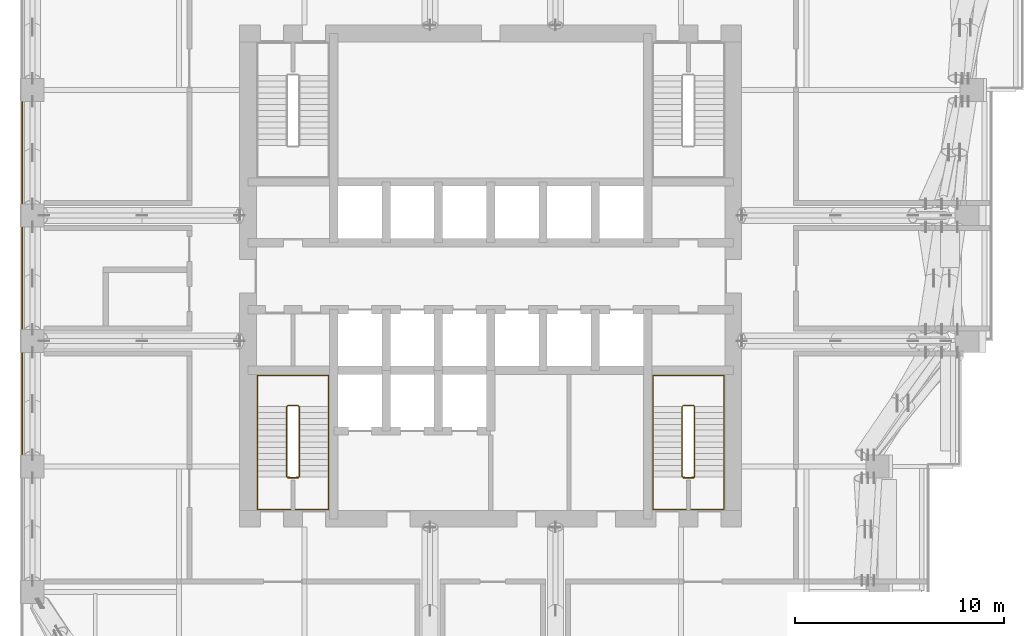
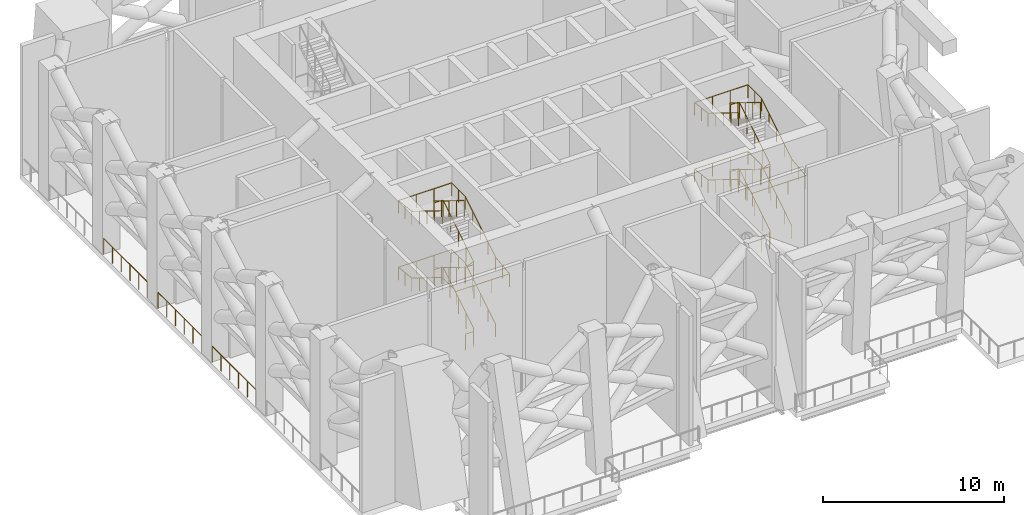
# One storey, part 16 of 19: 7 railings.
"""IFC4 building model written with IfcOpenShell, lengths in metres."""

import ifcopenshell
import ifcopenshell.guid

model = None  # the IFC model being written
_history = None  # IfcOwnerHistory: only IFC2X3 demands one
_inside = {}  # id of a spatial element -> (the spatial element, [elements in it])
_under = {}  # id of a project, library or spatial element -> (it, [spatial elements below it])
_declared = {}  # id of a project -> (the project, [libraries it declares])
_typed = {}  # id of a type object -> (the type object, [elements of that type])
_made_of = {}  # id of a material, layer set ... -> (it, [elements and type objects made of it])


def new_model(schema):
    """Start an empty IFC model of exactly this schema.

    Asked for "IFC4X3", IfcOpenShell would pick the latest addendum, in which some entities
    have other attributes; the version numbers below select the first issue.
    IFC2X3 requires an IfcOwnerHistory on every rooted entity: one is made here for all.
    """
    global model, _history
    if schema == "IFC4X3":
        model = ifcopenshell.file(schema_version=(4, 3, 0, 0))
    else:
        model = ifcopenshell.file(schema=schema)
    _inside.clear()
    _under.clear()
    _declared.clear()
    _typed.clear()
    _made_of.clear()
    _history = None
    if model.schema == "IFC2X3":
        org = make("IfcOrganization", Name="unknown")
        user = make(
            "IfcPersonAndOrganization",
            ThePerson=make("IfcPerson", FamilyName="unknown"),
            TheOrganization=org,
        )
        app = make(
            "IfcApplication",
            ApplicationDeveloper=org,
            Version="unknown",
            ApplicationFullName="unknown",
            ApplicationIdentifier="unknown",
        )
        _history = make(
            "IfcOwnerHistory",
            OwningUser=user,
            OwningApplication=app,
            ChangeAction="ADDED",
            CreationDate=0,
        )
    return model


def make(cls, **values):
    """One entity of the class cls with the attributes given. An attribute that is None is left unset."""
    return model.create_entity(
        cls, **{name: value for name, value in values.items() if value is not None}
    )


def rooted(cls, **values):
    """An entity with a GlobalId (a new one), such as an element, a storey or a relation."""
    return make(cls, GlobalId=ifcopenshell.guid.new(), OwnerHistory=_history, **values)


def si_unit(unit_type, name, prefix=None):
    """IfcSIUnit, for example si_unit("LENGTHUNIT", "METRE", prefix="MILLI")."""
    return make("IfcSIUnit", UnitType=unit_type, Prefix=prefix, Name=name)


def assignment(units):
    """IfcUnitAssignment: the units of a project."""
    return None if units is None else make("IfcUnitAssignment", Units=units)


def point(xyz):
    """IfcCartesianPoint."""
    return None if xyz is None else make("IfcCartesianPoint", Coordinates=xyz)


def direction(xyz):
    """IfcDirection."""
    return None if xyz is None else make("IfcDirection", DirectionRatios=xyz)


def frame(location, z_axis=None, x_axis=None):
    """IfcAxis2Placement3D, a coordinate frame: its origin and axes. An axis left out is left unset."""
    return make(
        "IfcAxis2Placement3D",
        Location=point(location),
        Axis=direction(z_axis),
        RefDirection=direction(x_axis),
    )


def frame_2d(location, x_axis=None):
    """IfcAxis2Placement2D, a coordinate frame in the plane: its origin and x axis."""
    return make(
        "IfcAxis2Placement2D", Location=point(location), RefDirection=direction(x_axis)
    )


def origin():
    """The frame at (0, 0, 0) with its axes left unset."""
    return frame((0.0, 0.0, 0.0))


def origin_2d():
    """The frame at (0, 0) in the plane with its x axis left unset."""
    return frame_2d((0.0, 0.0))


def place(relative_to, where):
    """IfcLocalPlacement: puts the frame where relative to a parent placement (None: the world)."""
    return make(
        "IfcLocalPlacement", PlacementRelTo=relative_to, RelativePlacement=where
    )


def context(
    kind, dimensions, precision=None, world=None, true_north=None, identifier=None
):
    """IfcGeometricRepresentationContext, for example the 3D "Model" context."""
    return make(
        "IfcGeometricRepresentationContext",
        ContextIdentifier=identifier,
        ContextType=kind,
        CoordinateSpaceDimension=dimensions,
        Precision=precision,
        WorldCoordinateSystem=world,
        TrueNorth=true_north,
    )


def subcontext(parent, identifier, kind, view, scale=None):
    """IfcGeometricRepresentationSubContext, for example "Body" below "Model"."""
    return make(
        "IfcGeometricRepresentationSubContext",
        ContextIdentifier=identifier,
        ContextType=kind,
        ParentContext=parent,
        TargetScale=scale,
        TargetView=view,
    )


def project(units=None, contexts=None):
    """IfcProject with its units and contexts."""
    return rooted(
        "IfcProject",
        Name="project",
        RepresentationContexts=contexts,
        UnitsInContext=assignment(units),
    )


def spatial(cls, under=None, at=None, **own):
    """A site, building, storey or space (cls), placed at a placement, below another one or the project."""
    s = rooted(cls, ObjectPlacement=at, **own)
    if under is not None:
        _under.setdefault(under.id(), (under, []))[1].append(s)
    return s


def profile(cls, at=None, kind="AREA", **sizes):
    """A parametric profile (cls). Its sizes go by their IFC names, for example OverallWidth=200.0."""
    return make(cls, ProfileType=kind, Position=at, **sizes)


def circle(**sizes):
    """IfcCircleProfileDef."""
    return profile("IfcCircleProfileDef", **sizes)


def extrude(swept, where, along, depth):
    """IfcExtrudedAreaSolid: the profile swept, set in the frame where, extruded along a direction by depth."""
    return make(
        "IfcExtrudedAreaSolid",
        SweptArea=swept,
        Position=where,
        ExtrudedDirection=direction(along),
        Depth=depth,
    )


def shape(context_of_items, identifier, shape_type, items):
    """IfcShapeRepresentation: the items that make up one representation, for example the "Body"."""
    return make(
        "IfcShapeRepresentation",
        ContextOfItems=context_of_items,
        RepresentationIdentifier=identifier,
        RepresentationType=shape_type,
        Items=items,
    )


def material(Name=None, Category=None):
    """IfcMaterial."""
    return make("IfcMaterial", Name=Name, Category=Category)


def made_of(thing, what):
    """Note that an element or type object is made of a material, layer set ...; save() writes the relation."""
    if what is not None:
        _made_of.setdefault(what.id(), (what, []))[1].append(thing)
    return thing


def type_object(cls, material=None, **own):
    """A type object (cls), such as IfcWallType, which elements share."""
    return made_of(rooted(cls, **own), material)


def element(
    cls,
    number,
    at=None,
    inside=None,
    cuts=None,
    type_object=None,
    material=None,
    context=None,
    identifier="Body",
    shape_type=None,
    held_by="IfcProductDefinitionShape",
    body=None,
    shapes=None,
    **own,
):
    """One element of the class cls, such as IfcWall. Its Tag is "e" and its number.

    at: its placement. inside: the storey or other place that contains it. cuts: it is an
    opening in that element (IfcRelVoidsElement). A single representation is given by context,
    identifier, shape_type and body (its items); several are given by shapes. held_by: the class
    of the entity that holds the representations. save() writes the other relations.
    """
    e = rooted(cls, Tag="e%d" % number, ObjectPlacement=at, **own)
    if body is not None:
        shapes = [shape(context, identifier, shape_type, body)]
    if shapes is not None:
        e.Representation = make(held_by, Representations=shapes)
    if inside is not None:
        _inside.setdefault(inside.id(), (inside, []))[1].append(e)
    if cuts is not None:
        rooted(
            "IfcRelVoidsElement", RelatingBuildingElement=cuts, RelatedOpeningElement=e
        )
    if type_object is not None:
        _typed.setdefault(type_object.id(), (type_object, []))[1].append(e)
    return made_of(e, material)


def aggregate(whole, parts):
    """IfcRelAggregates: a whole, such as a stair, and the parts it consists of."""
    return rooted("IfcRelAggregates", RelatingObject=whole, RelatedObjects=parts)


def save(model, path):
    """Write the relations noted so far, then the file.

    IfcRelAggregates (storeys below a building ...), IfcRelContainedInSpatialStructure (elements
    in a storey), IfcRelDefinesByType, IfcRelAssociatesMaterial and IfcRelDeclares: one each for
    every whole, place, type object, material and project.
    """
    for whole, parts in _under.values():
        aggregate(whole, parts)
    for where, things in _inside.values():
        rooted(
            "IfcRelContainedInSpatialStructure",
            RelatedElements=things,
            RelatingStructure=where,
        )
    for kind, things in _typed.values():
        rooted("IfcRelDefinesByType", RelatedObjects=things, RelatingType=kind)
    for what, things in _made_of.values():
        rooted("IfcRelAssociatesMaterial", RelatedObjects=things, RelatingMaterial=what)
    for by, libraries in _declared.values():
        rooted("IfcRelDeclares", RelatingContext=by, RelatedDefinitions=libraries)
    model.write(path)


model = new_model("IFC4")

# Units and contexts
model_context = context("Model", 3, precision=1e-05, world=origin(), true_north=direction((0.0, 1.0)))
body_context = subcontext(model_context, "Body", "Model", "MODEL_VIEW")
ifc_project = project(units=[si_unit("LENGTHUNIT", "METRE"), si_unit("AREAUNIT", "SQUARE_METRE"), si_unit("VOLUMEUNIT", "CUBIC_METRE"), si_unit("PLANEANGLEUNIT", "RADIAN"), si_unit("MASSUNIT", "GRAM", prefix="KILO")], contexts=[model_context])

# Site, building, storey
site_placement = place(None, origin())
site = spatial("IfcSite", under=ifc_project, at=site_placement, CompositionType="ELEMENT")
building_placement = place(site_placement, origin())
building = spatial("IfcBuilding", under=site, at=building_placement, Name="Amberfall Residences", CompositionType="ELEMENT")
storey_placement = place(building_placement, frame((0.0, 0.0, 124.89990234375)))
storey = spatial("IfcBuildingStorey", under=building, at=storey_placement, Name="L34", CompositionType="ELEMENT", Elevation=124.89990234375)

# Railings
ifc_material_1 = material(Name="Bronze anodised aluminium and laminated glass", Category="aluminium")
railing_type_1 = type_object("IfcRailingType", Name="Refuge edge guard 1100", PredefinedType="GUARDRAIL", material=ifc_material_1)
for number, where, name in (
    (1, (52.10009765625, 36.97998046875, 0.0), "Refuge edge guard L34 16"),
    (2, (52.10009765625, 42.97998046875, 0.0), "Refuge edge guard L34 17"),
    (3, (52.10009765625, 48.97998046875, 0.0), "Refuge edge guard L34 18"),
):
    element("IfcRailing", number, at=place(storey_placement, frame(where)), inside=storey, type_object=railing_type_1, Name=name, PredefinedType="GUARDRAIL", context=body_context, shape_type="SweptSolid", body=[
        extrude(circle(Radius=0.02392578125, at=origin_2d()), frame((0.0, 0.0, 1.076171875), z_axis=(0.0, 1.0, 0.0), x_axis=(-1.0, 0.0, 0.0)), (0.0, 0.0, 1.0), 4.840087890625),
        extrude(circle(Radius=0.02099609375, at=origin_2d()), origin(), (0.0, 0.0, 1.0), 1.052001953125),
        extrude(circle(Radius=0.02099609375, at=origin_2d()), frame((0.0, 0.968017578125, 0.0)), (0.0, 0.0, 1.0), 1.052001953125),
        extrude(circle(Radius=0.02099609375, at=origin_2d()), frame((0.0, 1.93603515625, 0.0)), (0.0, 0.0, 1.0), 1.052001953125),
        extrude(circle(Radius=0.02099609375, at=origin_2d()), frame((0.0, 2.904052734375, 0.0)), (0.0, 0.0, 1.0), 1.052001953125),
        extrude(circle(Radius=0.02099609375, at=origin_2d()), frame((0.0, 3.8720703125, 0.0)), (0.0, 0.0, 1.0), 1.052001953125),
        extrude(circle(Radius=0.02099609375, at=origin_2d()), frame((0.0, 4.840087890625, 0.0)), (0.0, 0.0, 1.0), 1.052001953125),
    ])
ifc_material_2 = material(Name="Stainless steel 316", Category="steel")
railing_type_2 = type_object("IfcRailingType", Name="Stair guard 1100", PredefinedType="GUARDRAIL", material=ifc_material_2)
railing_1_placement = place(storey_placement, frame((64.800048828125, 35.85009765625, 0.0)))
element("IfcRailing", 4, at=railing_1_placement, inside=storey, type_object=railing_type_2, Name="L34 stair 1 guard", PredefinedType="GUARDRAIL", context=body_context, shape_type="SweptSolid", body=[
    extrude(circle(Radius=0.02392578125, at=origin_2d()), frame((0.0, 0.0, 1.076171875), z_axis=(1.0, 0.0, 0.0), x_axis=(0.0, 1.0, 0.0)), (0.0, 0.0, 1.0), 0.5),
    extrude(circle(Radius=0.02392578125, at=origin_2d()), frame((0.5, 0.0, 1.076171875), z_axis=(0.267723051232, 0.266417085129, 0.925929967433), x_axis=(-0.705375805398, 0.708833529934, 0.0)), (0.0, 0.0, 1.0), 0.18701171875),
    extrude(circle(Radius=0.02392578125, at=origin_2d()), frame((0.550048828125, 0.0498046875, 1.2490234375), z_axis=(0.0, 0.850623216509, 0.525775754039), x_axis=(-1.0, 0.0, 0.0)), (0.0, 0.0, 1.0), 3.9501953125),
    extrude(circle(Radius=0.02392578125, at=origin_2d()), frame((0.550048828125, 3.409912109375, 3.326171875), z_axis=(-0.707106781187, 0.707106781187, 0.0), x_axis=(-0.707106781187, -0.707106781187, 0.0)), (0.0, 0.0, 1.0), 0.07080078125),
    extrude(circle(Radius=0.02392578125, at=origin_2d()), frame((0.5, 3.4599609375, 3.326171875), z_axis=(-1.0, 0.0, 0.0), x_axis=(0.0, -1.0, 0.0)), (0.0, 0.0, 1.0), 0.5),
    extrude(circle(Radius=0.02392578125, at=origin_2d()), frame((0.0, 3.4599609375, 3.326171875), z_axis=(-0.267629722418, -0.267629722418, 0.925607186314), x_axis=(0.707106781187, -0.707106781187, 0.0)), (0.0, 0.0, 1.0), 0.18701171875),
    extrude(circle(Radius=0.02392578125, at=origin_2d()), frame((-0.050048828125, 3.409912109375, 3.4990234375), z_axis=(0.0, -0.850623216509, 0.525775754039), x_axis=(1.0, 0.0, 0.0)), (0.0, 0.0, 1.0), 3.9501953125),
    extrude(circle(Radius=0.02392578125, at=origin_2d()), frame((-0.050048828125, 0.0498046875, 5.576171875), z_axis=(0.99592575169, -0.09017703211, 0.0), x_axis=(0.09017703211, 0.99592575169, 0.0)), (0.0, 0.0, 1.0), 0.55224609375),
    extrude(circle(Radius=0.02392578125, at=origin_2d()), frame((0.5, 0.0, 5.576171875), z_axis=(-1.0, 0.0, 0.0), x_axis=(0.0, -1.0, 0.0)), (0.0, 0.0, 1.0), 0.5),
    extrude(circle(Radius=0.02392578125, at=origin_2d()), frame((0.0, 0.0, 5.576171875), z_axis=(0.950344817969, 0.086049863678, 0.299065457585), x_axis=(-0.09017703211, 0.99592575169, 0.0)), (0.0, 0.0, 1.0), 0.578857421875),
    extrude(circle(Radius=0.02392578125, at=origin_2d()), frame((0.550048828125, 0.0498046875, 5.7490234375), z_axis=(0.0, 0.850623216509, 0.525775754039), x_axis=(-1.0, 0.0, 0.0)), (0.0, 0.0, 1.0), 3.9501953125),
    extrude(circle(Radius=0.02392578125, at=origin_2d()), frame((0.550048828125, 3.409912109375, 7.826171875), z_axis=(-0.707106781187, 0.707106781187, 0.0), x_axis=(-0.707106781187, -0.707106781187, 0.0)), (0.0, 0.0, 1.0), 0.07080078125),
    extrude(circle(Radius=0.02392578125, at=origin_2d()), frame((0.5, 3.4599609375, 7.826171875), z_axis=(-1.0, 0.0, 0.0), x_axis=(0.0, -1.0, 0.0)), (0.0, 0.0, 1.0), 0.5),
    extrude(circle(Radius=0.02392578125, at=origin_2d()), frame((0.0, 3.4599609375, 7.826171875), z_axis=(-0.267629722418, -0.267629722418, 0.925607186314), x_axis=(0.707106781187, -0.707106781187, 0.0)), (0.0, 0.0, 1.0), 0.18701171875),
    extrude(circle(Radius=0.02392578125, at=origin_2d()), frame((-0.050048828125, 3.409912109375, 7.9990234375), z_axis=(0.0, -0.850623216509, 0.525775754039), x_axis=(1.0, 0.0, 0.0)), (0.0, 0.0, 1.0), 3.9501953125),
    extrude(circle(Radius=0.02099609375, at=origin_2d()), origin(), (0.0, 0.0, 1.0), 1.052001953125),
    extrude(circle(Radius=0.02099609375, at=origin_2d()), frame((0.5, 0.0, 0.0)), (0.0, 0.0, 1.0), 1.052001953125),
    extrude(circle(Radius=0.02099609375, at=origin_2d()), frame((0.550048828125, 0.0498046875, 0.173095703125)), (0.0, 0.0, 1.0), 1.052001953125),
    extrude(circle(Radius=0.02099609375, at=origin_2d()), frame((0.550048828125, 0.889892578125, 0.6923828125)), (0.0, 0.0, 1.0), 1.052001953125),
    extrude(circle(Radius=0.02099609375, at=origin_2d()), frame((0.550048828125, 1.72998046875, 1.21142578125)), (0.0, 0.0, 1.0), 1.052001953125),
    extrude(circle(Radius=0.02099609375, at=origin_2d()), frame((0.550048828125, 2.56982421875, 1.730712890625)), (0.0, 0.0, 1.0), 1.052001953125),
    extrude(circle(Radius=0.02099609375, at=origin_2d()), frame((0.550048828125, 3.409912109375, 2.25)), (0.0, 0.0, 1.0), 1.052001953125),
    extrude(circle(Radius=0.02099609375, at=origin_2d()), frame((0.5, 3.4599609375, 2.25)), (0.0, 0.0, 1.0), 1.052001953125),
    extrude(circle(Radius=0.02099609375, at=origin_2d()), frame((0.0, 3.4599609375, 2.25)), (0.0, 0.0, 1.0), 1.052001953125),
    extrude(circle(Radius=0.02099609375, at=origin_2d()), frame((-0.050048828125, 3.409912109375, 2.423095703125)), (0.0, 0.0, 1.0), 1.052001953125),
    extrude(circle(Radius=0.02099609375, at=origin_2d()), frame((-0.050048828125, 2.56982421875, 2.9423828125)), (0.0, 0.0, 1.0), 1.052001953125),
    extrude(circle(Radius=0.02099609375, at=origin_2d()), frame((-0.050048828125, 1.72998046875, 3.46142578125)), (0.0, 0.0, 1.0), 1.052001953125),
    extrude(circle(Radius=0.02099609375, at=origin_2d()), frame((-0.050048828125, 0.889892578125, 3.980712890625)), (0.0, 0.0, 1.0), 1.052001953125),
    extrude(circle(Radius=0.02099609375, at=origin_2d()), frame((-0.050048828125, 0.0498046875, 4.5)), (0.0, 0.0, 1.0), 1.052001953125),
    extrude(circle(Radius=0.02099609375, at=origin_2d()), frame((0.5, 0.0, 4.5)), (0.0, 0.0, 1.0), 1.052001953125),
    extrude(circle(Radius=0.02099609375, at=origin_2d()), frame((0.0, 0.0, 4.5)), (0.0, 0.0, 1.0), 1.052001953125),
    extrude(circle(Radius=0.02099609375, at=origin_2d()), frame((0.550048828125, 0.0498046875, 4.673095703125)), (0.0, 0.0, 1.0), 1.052001953125),
    extrude(circle(Radius=0.02099609375, at=origin_2d()), frame((0.550048828125, 0.889892578125, 5.1923828125)), (0.0, 0.0, 1.0), 1.052001953125),
    extrude(circle(Radius=0.02099609375, at=origin_2d()), frame((0.550048828125, 1.72998046875, 5.71142578125)), (0.0, 0.0, 1.0), 1.052001953125),
    extrude(circle(Radius=0.02099609375, at=origin_2d()), frame((0.550048828125, 2.56982421875, 6.230712890625)), (0.0, 0.0, 1.0), 1.052001953125),
    extrude(circle(Radius=0.02099609375, at=origin_2d()), frame((0.550048828125, 3.409912109375, 6.75)), (0.0, 0.0, 1.0), 1.052001953125),
    extrude(circle(Radius=0.02099609375, at=origin_2d()), frame((0.5, 3.4599609375, 6.75)), (0.0, 0.0, 1.0), 1.052001953125),
    extrude(circle(Radius=0.02099609375, at=origin_2d()), frame((0.0, 3.4599609375, 6.75)), (0.0, 0.0, 1.0), 1.052001953125),
    extrude(circle(Radius=0.02099609375, at=origin_2d()), frame((-0.050048828125, 3.409912109375, 6.923095703125)), (0.0, 0.0, 1.0), 1.052001953125),
    extrude(circle(Radius=0.02099609375, at=origin_2d()), frame((-0.050048828125, 2.56982421875, 7.4423828125)), (0.0, 0.0, 1.0), 1.052001953125),
    extrude(circle(Radius=0.02099609375, at=origin_2d()), frame((-0.050048828125, 1.72998046875, 7.96142578125)), (0.0, 0.0, 1.0), 1.052001953125),
    extrude(circle(Radius=0.02099609375, at=origin_2d()), frame((-0.050048828125, 0.889892578125, 8.480712890625)), (0.0, 0.0, 1.0), 1.052001953125),
    extrude(circle(Radius=0.02099609375, at=origin_2d()), frame((-0.050048828125, 0.0498046875, 9.0)), (0.0, 0.0, 1.0), 1.052001953125),
])
railing_2_placement = place(storey_placement, frame((83.699951171875, 35.85009765625, 0.0)))
element("IfcRailing", 5, at=railing_2_placement, inside=storey, type_object=railing_type_2, Name="L34 stair 2 guard", PredefinedType="GUARDRAIL", context=body_context, shape_type="SweptSolid", body=[
    extrude(circle(Radius=0.02392578125, at=origin_2d()), frame((0.0, 0.0, 1.076171875), z_axis=(1.0, 0.0, 0.0), x_axis=(0.0, 1.0, 0.0)), (0.0, 0.0, 1.0), 0.5),
    extrude(circle(Radius=0.02392578125, at=origin_2d()), frame((0.5, 0.0, 1.076171875), z_axis=(0.267723051232, 0.266417085129, 0.925929967433), x_axis=(-0.705375805398, 0.708833529934, 0.0)), (0.0, 0.0, 1.0), 0.18701171875),
    extrude(circle(Radius=0.02392578125, at=origin_2d()), frame((0.550048828125, 0.0498046875, 1.2490234375), z_axis=(0.0, 0.850623216509, 0.525775754039), x_axis=(-1.0, 0.0, 0.0)), (0.0, 0.0, 1.0), 3.9501953125),
    extrude(circle(Radius=0.02392578125, at=origin_2d()), frame((0.550048828125, 3.409912109375, 3.326171875), z_axis=(-0.707106781187, 0.707106781187, 0.0), x_axis=(-0.707106781187, -0.707106781187, 0.0)), (0.0, 0.0, 1.0), 0.07080078125),
    extrude(circle(Radius=0.02392578125, at=origin_2d()), frame((0.5, 3.4599609375, 3.326171875), z_axis=(-1.0, 0.0, 0.0), x_axis=(0.0, -1.0, 0.0)), (0.0, 0.0, 1.0), 0.5),
    extrude(circle(Radius=0.02392578125, at=origin_2d()), frame((0.0, 3.4599609375, 3.326171875), z_axis=(-0.267629722418, -0.267629722418, 0.925607186314), x_axis=(0.707106781187, -0.707106781187, 0.0)), (0.0, 0.0, 1.0), 0.18701171875),
    extrude(circle(Radius=0.02392578125, at=origin_2d()), frame((-0.050048828125, 3.409912109375, 3.4990234375), z_axis=(0.0, -0.850623216509, 0.525775754039), x_axis=(1.0, 0.0, 0.0)), (0.0, 0.0, 1.0), 3.9501953125),
    extrude(circle(Radius=0.02392578125, at=origin_2d()), frame((-0.050048828125, 0.0498046875, 5.576171875), z_axis=(0.99592575169, -0.09017703211, 0.0), x_axis=(0.09017703211, 0.99592575169, 0.0)), (0.0, 0.0, 1.0), 0.55224609375),
    extrude(circle(Radius=0.02392578125, at=origin_2d()), frame((0.5, 0.0, 5.576171875), z_axis=(-1.0, 0.0, 0.0), x_axis=(0.0, -1.0, 0.0)), (0.0, 0.0, 1.0), 0.5),
    extrude(circle(Radius=0.02392578125, at=origin_2d()), frame((0.0, 0.0, 5.576171875), z_axis=(0.950344817969, 0.086049863678, 0.299065457585), x_axis=(-0.09017703211, 0.99592575169, 0.0)), (0.0, 0.0, 1.0), 0.578857421875),
    extrude(circle(Radius=0.02392578125, at=origin_2d()), frame((0.550048828125, 0.0498046875, 5.7490234375), z_axis=(0.0, 0.850623216509, 0.525775754039), x_axis=(-1.0, 0.0, 0.0)), (0.0, 0.0, 1.0), 3.9501953125),
    extrude(circle(Radius=0.02392578125, at=origin_2d()), frame((0.550048828125, 3.409912109375, 7.826171875), z_axis=(-0.707106781187, 0.707106781187, 0.0), x_axis=(-0.707106781187, -0.707106781187, 0.0)), (0.0, 0.0, 1.0), 0.07080078125),
    extrude(circle(Radius=0.02392578125, at=origin_2d()), frame((0.5, 3.4599609375, 7.826171875), z_axis=(-1.0, 0.0, 0.0), x_axis=(0.0, -1.0, 0.0)), (0.0, 0.0, 1.0), 0.5),
    extrude(circle(Radius=0.02392578125, at=origin_2d()), frame((0.0, 3.4599609375, 7.826171875), z_axis=(-0.267629722418, -0.267629722418, 0.925607186314), x_axis=(0.707106781187, -0.707106781187, 0.0)), (0.0, 0.0, 1.0), 0.18701171875),
    extrude(circle(Radius=0.02392578125, at=origin_2d()), frame((-0.050048828125, 3.409912109375, 7.9990234375), z_axis=(0.0, -0.850623216509, 0.525775754039), x_axis=(1.0, 0.0, 0.0)), (0.0, 0.0, 1.0), 3.9501953125),
    extrude(circle(Radius=0.02099609375, at=origin_2d()), origin(), (0.0, 0.0, 1.0), 1.052001953125),
    extrude(circle(Radius=0.02099609375, at=origin_2d()), frame((0.5, 0.0, 0.0)), (0.0, 0.0, 1.0), 1.052001953125),
    extrude(circle(Radius=0.02099609375, at=origin_2d()), frame((0.550048828125, 0.0498046875, 0.173095703125)), (0.0, 0.0, 1.0), 1.052001953125),
    extrude(circle(Radius=0.02099609375, at=origin_2d()), frame((0.550048828125, 0.889892578125, 0.6923828125)), (0.0, 0.0, 1.0), 1.052001953125),
    extrude(circle(Radius=0.02099609375, at=origin_2d()), frame((0.550048828125, 1.72998046875, 1.21142578125)), (0.0, 0.0, 1.0), 1.052001953125),
    extrude(circle(Radius=0.02099609375, at=origin_2d()), frame((0.550048828125, 2.56982421875, 1.730712890625)), (0.0, 0.0, 1.0), 1.052001953125),
    extrude(circle(Radius=0.02099609375, at=origin_2d()), frame((0.550048828125, 3.409912109375, 2.25)), (0.0, 0.0, 1.0), 1.052001953125),
    extrude(circle(Radius=0.02099609375, at=origin_2d()), frame((0.5, 3.4599609375, 2.25)), (0.0, 0.0, 1.0), 1.052001953125),
    extrude(circle(Radius=0.02099609375, at=origin_2d()), frame((0.0, 3.4599609375, 2.25)), (0.0, 0.0, 1.0), 1.052001953125),
    extrude(circle(Radius=0.02099609375, at=origin_2d()), frame((-0.050048828125, 3.409912109375, 2.423095703125)), (0.0, 0.0, 1.0), 1.052001953125),
    extrude(circle(Radius=0.02099609375, at=origin_2d()), frame((-0.050048828125, 2.56982421875, 2.9423828125)), (0.0, 0.0, 1.0), 1.052001953125),
    extrude(circle(Radius=0.02099609375, at=origin_2d()), frame((-0.050048828125, 1.72998046875, 3.46142578125)), (0.0, 0.0, 1.0), 1.052001953125),
    extrude(circle(Radius=0.02099609375, at=origin_2d()), frame((-0.050048828125, 0.889892578125, 3.980712890625)), (0.0, 0.0, 1.0), 1.052001953125),
    extrude(circle(Radius=0.02099609375, at=origin_2d()), frame((-0.050048828125, 0.0498046875, 4.5)), (0.0, 0.0, 1.0), 1.052001953125),
    extrude(circle(Radius=0.02099609375, at=origin_2d()), frame((0.5, 0.0, 4.5)), (0.0, 0.0, 1.0), 1.052001953125),
    extrude(circle(Radius=0.02099609375, at=origin_2d()), frame((0.0, 0.0, 4.5)), (0.0, 0.0, 1.0), 1.052001953125),
    extrude(circle(Radius=0.02099609375, at=origin_2d()), frame((0.550048828125, 0.0498046875, 4.673095703125)), (0.0, 0.0, 1.0), 1.052001953125),
    extrude(circle(Radius=0.02099609375, at=origin_2d()), frame((0.550048828125, 0.889892578125, 5.1923828125)), (0.0, 0.0, 1.0), 1.052001953125),
    extrude(circle(Radius=0.02099609375, at=origin_2d()), frame((0.550048828125, 1.72998046875, 5.71142578125)), (0.0, 0.0, 1.0), 1.052001953125),
    extrude(circle(Radius=0.02099609375, at=origin_2d()), frame((0.550048828125, 2.56982421875, 6.230712890625)), (0.0, 0.0, 1.0), 1.052001953125),
    extrude(circle(Radius=0.02099609375, at=origin_2d()), frame((0.550048828125, 3.409912109375, 6.75)), (0.0, 0.0, 1.0), 1.052001953125),
    extrude(circle(Radius=0.02099609375, at=origin_2d()), frame((0.5, 3.4599609375, 6.75)), (0.0, 0.0, 1.0), 1.052001953125),
    extrude(circle(Radius=0.02099609375, at=origin_2d()), frame((0.0, 3.4599609375, 6.75)), (0.0, 0.0, 1.0), 1.052001953125),
    extrude(circle(Radius=0.02099609375, at=origin_2d()), frame((-0.050048828125, 3.409912109375, 6.923095703125)), (0.0, 0.0, 1.0), 1.052001953125),
    extrude(circle(Radius=0.02099609375, at=origin_2d()), frame((-0.050048828125, 2.56982421875, 7.4423828125)), (0.0, 0.0, 1.0), 1.052001953125),
    extrude(circle(Radius=0.02099609375, at=origin_2d()), frame((-0.050048828125, 1.72998046875, 7.96142578125)), (0.0, 0.0, 1.0), 1.052001953125),
    extrude(circle(Radius=0.02099609375, at=origin_2d()), frame((-0.050048828125, 0.889892578125, 8.480712890625)), (0.0, 0.0, 1.0), 1.052001953125),
    extrude(circle(Radius=0.02099609375, at=origin_2d()), frame((-0.050048828125, 0.0498046875, 9.0)), (0.0, 0.0, 1.0), 1.052001953125),
])
railing_type_3 = type_object("IfcRailingType", Name="Stair handrail 900", PredefinedType="HANDRAIL", material=ifc_material_2)
railing_3_placement = place(storey_placement, frame((66.75, 35.89990234375, 0.173095703125)))
element("IfcRailing", 6, at=railing_3_placement, inside=storey, type_object=railing_type_3, Name="L34 stair 1 handrail", PredefinedType="HANDRAIL", context=body_context, shape_type="SweptSolid", body=[
    extrude(circle(Radius=0.02392578125, at=origin_2d()), frame((0.0, 0.0, 0.8759765625), z_axis=(0.0, 0.850623216509, 0.525775754039), x_axis=(-1.0, 0.0, 0.0)), (0.0, 0.0, 1.0), 3.9501953125),
    extrude(circle(Radius=0.02392578125, at=origin_2d()), frame((0.0, 3.360107421875, 2.95263671875), z_axis=(0.0, 1.0, 0.0), x_axis=(-1.0, 0.0, 0.0)), (0.0, 0.0, 1.0), 1.489990234375),
    extrude(circle(Radius=0.02392578125, at=origin_2d()), frame((0.0, 4.85009765625, 2.95263671875), z_axis=(-1.0, 0.0, 0.0), x_axis=(0.0, -1.0, 0.0)), (0.0, 0.0, 1.0), 3.39990234375),
    extrude(circle(Radius=0.02392578125, at=origin_2d()), frame((-3.39990234375, 4.85009765625, 2.95263671875), z_axis=(0.0, -0.993319533971, 0.115396288642), x_axis=(1.0, 0.0, 0.0)), (0.0, 0.0, 1.0), 1.5),
    extrude(circle(Radius=0.02392578125, at=origin_2d()), frame((-3.39990234375, 3.360107421875, 3.1259765625), z_axis=(0.0, -0.850623216509, 0.525775754039), x_axis=(1.0, 0.0, 0.0)), (0.0, 0.0, 1.0), 3.9501953125),
    extrude(circle(Radius=0.02392578125, at=origin_2d()), frame((-3.39990234375, 0.0, 5.20263671875), z_axis=(0.0, -1.0, 0.0), x_axis=(1.0, 0.0, 0.0)), (0.0, 0.0, 1.0), 1.5498046875),
    extrude(circle(Radius=0.02392578125, at=origin_2d()), frame((-3.39990234375, -1.5498046875, 5.20263671875), z_axis=(1.0, 0.0, 0.0), x_axis=(0.0, 1.0, 0.0)), (0.0, 0.0, 1.0), 3.39990234375),
    extrude(circle(Radius=0.02392578125, at=origin_2d()), frame((0.0, -1.5498046875, 5.20263671875), z_axis=(0.0, 0.993820568478, 0.110998548055), x_axis=(-1.0, 0.0, 0.0)), (0.0, 0.0, 1.0), 1.559326171875),
    extrude(circle(Radius=0.02392578125, at=origin_2d()), frame((0.0, 0.0, 5.3759765625), z_axis=(0.0, 0.850623216509, 0.525775754039), x_axis=(-1.0, 0.0, 0.0)), (0.0, 0.0, 1.0), 3.9501953125),
    extrude(circle(Radius=0.02392578125, at=origin_2d()), frame((0.0, 3.360107421875, 7.45263671875), z_axis=(0.0, 1.0, 0.0), x_axis=(-1.0, 0.0, 0.0)), (0.0, 0.0, 1.0), 1.489990234375),
    extrude(circle(Radius=0.02392578125, at=origin_2d()), frame((0.0, 4.85009765625, 7.45263671875), z_axis=(-1.0, 0.0, 0.0), x_axis=(0.0, -1.0, 0.0)), (0.0, 0.0, 1.0), 3.39990234375),
    extrude(circle(Radius=0.02392578125, at=origin_2d()), frame((-3.39990234375, 4.85009765625, 7.45263671875), z_axis=(0.0, -0.993319533971, 0.115396288642), x_axis=(1.0, 0.0, 0.0)), (0.0, 0.0, 1.0), 1.5),
    extrude(circle(Radius=0.02392578125, at=origin_2d()), frame((-3.39990234375, 3.360107421875, 7.6259765625), z_axis=(0.0, -0.850623216509, 0.525775754039), x_axis=(1.0, 0.0, 0.0)), (0.0, 0.0, 1.0), 3.9501953125),
    extrude(circle(Radius=0.02099609375, at=origin_2d()), origin(), (0.0, 0.0, 1.0), 0.851806640625),
    extrude(circle(Radius=0.02099609375, at=origin_2d()), frame((0.0, 0.840087890625, 0.519287109375)), (0.0, 0.0, 1.0), 0.851806640625),
    extrude(circle(Radius=0.02099609375, at=origin_2d()), frame((0.0, 1.68017578125, 1.03857421875)), (0.0, 0.0, 1.0), 0.851806640625),
    extrude(circle(Radius=0.02099609375, at=origin_2d()), frame((0.0, 2.52001953125, 1.5576171875)), (0.0, 0.0, 1.0), 0.851806640625),
    extrude(circle(Radius=0.02099609375, at=origin_2d()), frame((0.0, 3.360107421875, 2.076904296875)), (0.0, 0.0, 1.0), 0.851806640625),
    extrude(circle(Radius=0.02099609375, at=origin_2d()), frame((0.0, 4.10498046875, 2.076904296875)), (0.0, 0.0, 1.0), 0.851806640625),
    extrude(circle(Radius=0.02099609375, at=origin_2d()), frame((0.0, 4.85009765625, 2.076904296875)), (0.0, 0.0, 1.0), 0.851806640625),
    extrude(circle(Radius=0.02099609375, at=origin_2d()), frame((-1.13330078125, 4.85009765625, 2.076904296875)), (0.0, 0.0, 1.0), 0.851806640625),
    extrude(circle(Radius=0.02099609375, at=origin_2d()), frame((-2.2666015625, 4.85009765625, 2.076904296875)), (0.0, 0.0, 1.0), 0.851806640625),
    extrude(circle(Radius=0.02099609375, at=origin_2d()), frame((-3.39990234375, 4.85009765625, 2.076904296875)), (0.0, 0.0, 1.0), 0.851806640625),
    extrude(circle(Radius=0.02099609375, at=origin_2d()), frame((-3.39990234375, 4.10498046875, 2.16357421875)), (0.0, 0.0, 1.0), 0.851806640625),
    extrude(circle(Radius=0.02099609375, at=origin_2d()), frame((-3.39990234375, 3.360107421875, 2.25)), (0.0, 0.0, 1.0), 0.851806640625),
    extrude(circle(Radius=0.02099609375, at=origin_2d()), frame((-3.39990234375, 2.52001953125, 2.769287109375)), (0.0, 0.0, 1.0), 0.851806640625),
    extrude(circle(Radius=0.02099609375, at=origin_2d()), frame((-3.39990234375, 1.68017578125, 3.28857421875)), (0.0, 0.0, 1.0), 0.851806640625),
    extrude(circle(Radius=0.02099609375, at=origin_2d()), frame((-3.39990234375, 0.840087890625, 3.8076171875)), (0.0, 0.0, 1.0), 0.851806640625),
    extrude(circle(Radius=0.02099609375, at=origin_2d()), frame((-3.39990234375, 0.0, 4.326904296875)), (0.0, 0.0, 1.0), 0.851806640625),
    extrude(circle(Radius=0.02099609375, at=origin_2d()), frame((-3.39990234375, -0.77490234375, 4.326904296875)), (0.0, 0.0, 1.0), 0.851806640625),
    extrude(circle(Radius=0.02099609375, at=origin_2d()), frame((-3.39990234375, -1.5498046875, 4.326904296875)), (0.0, 0.0, 1.0), 0.851806640625),
    extrude(circle(Radius=0.02099609375, at=origin_2d()), frame((-2.2666015625, -1.5498046875, 4.326904296875)), (0.0, 0.0, 1.0), 0.851806640625),
    extrude(circle(Radius=0.02099609375, at=origin_2d()), frame((-1.13330078125, -1.5498046875, 4.326904296875)), (0.0, 0.0, 1.0), 0.851806640625),
    extrude(circle(Radius=0.02099609375, at=origin_2d()), frame((0.0, -1.5498046875, 4.326904296875)), (0.0, 0.0, 1.0), 0.851806640625),
    extrude(circle(Radius=0.02099609375, at=origin_2d()), frame((0.0, -0.77490234375, 4.41357421875)), (0.0, 0.0, 1.0), 0.851806640625),
    extrude(circle(Radius=0.02099609375, at=origin_2d()), frame((0.0, 0.0, 4.5)), (0.0, 0.0, 1.0), 0.851806640625),
    extrude(circle(Radius=0.02099609375, at=origin_2d()), frame((0.0, 0.840087890625, 5.019287109375)), (0.0, 0.0, 1.0), 0.851806640625),
    extrude(circle(Radius=0.02099609375, at=origin_2d()), frame((0.0, 1.68017578125, 5.53857421875)), (0.0, 0.0, 1.0), 0.851806640625),
    extrude(circle(Radius=0.02099609375, at=origin_2d()), frame((0.0, 2.52001953125, 6.0576171875)), (0.0, 0.0, 1.0), 0.851806640625),
    extrude(circle(Radius=0.02099609375, at=origin_2d()), frame((0.0, 3.360107421875, 6.576904296875)), (0.0, 0.0, 1.0), 0.851806640625),
    extrude(circle(Radius=0.02099609375, at=origin_2d()), frame((0.0, 4.10498046875, 6.576904296875)), (0.0, 0.0, 1.0), 0.851806640625),
    extrude(circle(Radius=0.02099609375, at=origin_2d()), frame((0.0, 4.85009765625, 6.576904296875)), (0.0, 0.0, 1.0), 0.851806640625),
    extrude(circle(Radius=0.02099609375, at=origin_2d()), frame((-1.13330078125, 4.85009765625, 6.576904296875)), (0.0, 0.0, 1.0), 0.851806640625),
    extrude(circle(Radius=0.02099609375, at=origin_2d()), frame((-2.2666015625, 4.85009765625, 6.576904296875)), (0.0, 0.0, 1.0), 0.851806640625),
    extrude(circle(Radius=0.02099609375, at=origin_2d()), frame((-3.39990234375, 4.85009765625, 6.576904296875)), (0.0, 0.0, 1.0), 0.851806640625),
    extrude(circle(Radius=0.02099609375, at=origin_2d()), frame((-3.39990234375, 4.10498046875, 6.66357421875)), (0.0, 0.0, 1.0), 0.851806640625),
    extrude(circle(Radius=0.02099609375, at=origin_2d()), frame((-3.39990234375, 3.360107421875, 6.75)), (0.0, 0.0, 1.0), 0.851806640625),
    extrude(circle(Radius=0.02099609375, at=origin_2d()), frame((-3.39990234375, 2.52001953125, 7.269287109375)), (0.0, 0.0, 1.0), 0.851806640625),
    extrude(circle(Radius=0.02099609375, at=origin_2d()), frame((-3.39990234375, 1.68017578125, 7.78857421875)), (0.0, 0.0, 1.0), 0.851806640625),
    extrude(circle(Radius=0.02099609375, at=origin_2d()), frame((-3.39990234375, 0.840087890625, 8.3076171875)), (0.0, 0.0, 1.0), 0.851806640625),
    extrude(circle(Radius=0.02099609375, at=origin_2d()), frame((-3.39990234375, 0.0, 8.826904296875)), (0.0, 0.0, 1.0), 0.851806640625),
])
railing_4_placement = place(storey_placement, frame((85.64990234375, 35.89990234375, 0.173095703125)))
element("IfcRailing", 7, at=railing_4_placement, inside=storey, type_object=railing_type_3, Name="L34 stair 2 handrail", PredefinedType="HANDRAIL", context=body_context, shape_type="SweptSolid", body=[
    extrude(circle(Radius=0.02392578125, at=origin_2d()), frame((0.0, 0.0, 0.8759765625), z_axis=(0.0, 0.850623216509, 0.525775754039), x_axis=(-1.0, 0.0, 0.0)), (0.0, 0.0, 1.0), 3.9501953125),
    extrude(circle(Radius=0.02392578125, at=origin_2d()), frame((0.0, 3.360107421875, 2.95263671875), z_axis=(0.0, 1.0, 0.0), x_axis=(-1.0, 0.0, 0.0)), (0.0, 0.0, 1.0), 1.489990234375),
    extrude(circle(Radius=0.02392578125, at=origin_2d()), frame((0.0, 4.85009765625, 2.95263671875), z_axis=(-1.0, 0.0, 0.0), x_axis=(0.0, -1.0, 0.0)), (0.0, 0.0, 1.0), 3.39990234375),
    extrude(circle(Radius=0.02392578125, at=origin_2d()), frame((-3.39990234375, 4.85009765625, 2.95263671875), z_axis=(0.0, -0.993319533971, 0.115396288642), x_axis=(1.0, 0.0, 0.0)), (0.0, 0.0, 1.0), 1.5),
    extrude(circle(Radius=0.02392578125, at=origin_2d()), frame((-3.39990234375, 3.360107421875, 3.1259765625), z_axis=(0.0, -0.850623216509, 0.525775754039), x_axis=(1.0, 0.0, 0.0)), (0.0, 0.0, 1.0), 3.9501953125),
    extrude(circle(Radius=0.02392578125, at=origin_2d()), frame((-3.39990234375, 0.0, 5.20263671875), z_axis=(0.0, -1.0, 0.0), x_axis=(1.0, 0.0, 0.0)), (0.0, 0.0, 1.0), 1.5498046875),
    extrude(circle(Radius=0.02392578125, at=origin_2d()), frame((-3.39990234375, -1.5498046875, 5.20263671875), z_axis=(1.0, 0.0, 0.0), x_axis=(0.0, 1.0, 0.0)), (0.0, 0.0, 1.0), 3.39990234375),
    extrude(circle(Radius=0.02392578125, at=origin_2d()), frame((0.0, -1.5498046875, 5.20263671875), z_axis=(0.0, 0.993820568478, 0.110998548055), x_axis=(-1.0, 0.0, 0.0)), (0.0, 0.0, 1.0), 1.559326171875),
    extrude(circle(Radius=0.02392578125, at=origin_2d()), frame((0.0, 0.0, 5.3759765625), z_axis=(0.0, 0.850623216509, 0.525775754039), x_axis=(-1.0, 0.0, 0.0)), (0.0, 0.0, 1.0), 3.9501953125),
    extrude(circle(Radius=0.02392578125, at=origin_2d()), frame((0.0, 3.360107421875, 7.45263671875), z_axis=(0.0, 1.0, 0.0), x_axis=(-1.0, 0.0, 0.0)), (0.0, 0.0, 1.0), 1.489990234375),
    extrude(circle(Radius=0.02392578125, at=origin_2d()), frame((0.0, 4.85009765625, 7.45263671875), z_axis=(-1.0, 0.0, 0.0), x_axis=(0.0, -1.0, 0.0)), (0.0, 0.0, 1.0), 3.39990234375),
    extrude(circle(Radius=0.02392578125, at=origin_2d()), frame((-3.39990234375, 4.85009765625, 7.45263671875), z_axis=(0.0, -0.993319533971, 0.115396288642), x_axis=(1.0, 0.0, 0.0)), (0.0, 0.0, 1.0), 1.5),
    extrude(circle(Radius=0.02392578125, at=origin_2d()), frame((-3.39990234375, 3.360107421875, 7.6259765625), z_axis=(0.0, -0.850623216509, 0.525775754039), x_axis=(1.0, 0.0, 0.0)), (0.0, 0.0, 1.0), 3.9501953125),
    extrude(circle(Radius=0.02099609375, at=origin_2d()), origin(), (0.0, 0.0, 1.0), 0.851806640625),
    extrude(circle(Radius=0.02099609375, at=origin_2d()), frame((0.0, 0.840087890625, 0.519287109375)), (0.0, 0.0, 1.0), 0.851806640625),
    extrude(circle(Radius=0.02099609375, at=origin_2d()), frame((0.0, 1.68017578125, 1.03857421875)), (0.0, 0.0, 1.0), 0.851806640625),
    extrude(circle(Radius=0.02099609375, at=origin_2d()), frame((0.0, 2.52001953125, 1.5576171875)), (0.0, 0.0, 1.0), 0.851806640625),
    extrude(circle(Radius=0.02099609375, at=origin_2d()), frame((0.0, 3.360107421875, 2.076904296875)), (0.0, 0.0, 1.0), 0.851806640625),
    extrude(circle(Radius=0.02099609375, at=origin_2d()), frame((0.0, 4.10498046875, 2.076904296875)), (0.0, 0.0, 1.0), 0.851806640625),
    extrude(circle(Radius=0.02099609375, at=origin_2d()), frame((0.0, 4.85009765625, 2.076904296875)), (0.0, 0.0, 1.0), 0.851806640625),
    extrude(circle(Radius=0.02099609375, at=origin_2d()), frame((-1.13330078125, 4.85009765625, 2.076904296875)), (0.0, 0.0, 1.0), 0.851806640625),
    extrude(circle(Radius=0.02099609375, at=origin_2d()), frame((-2.2666015625, 4.85009765625, 2.076904296875)), (0.0, 0.0, 1.0), 0.851806640625),
    extrude(circle(Radius=0.02099609375, at=origin_2d()), frame((-3.39990234375, 4.85009765625, 2.076904296875)), (0.0, 0.0, 1.0), 0.851806640625),
    extrude(circle(Radius=0.02099609375, at=origin_2d()), frame((-3.39990234375, 4.10498046875, 2.16357421875)), (0.0, 0.0, 1.0), 0.851806640625),
    extrude(circle(Radius=0.02099609375, at=origin_2d()), frame((-3.39990234375, 3.360107421875, 2.25)), (0.0, 0.0, 1.0), 0.851806640625),
    extrude(circle(Radius=0.02099609375, at=origin_2d()), frame((-3.39990234375, 2.52001953125, 2.769287109375)), (0.0, 0.0, 1.0), 0.851806640625),
    extrude(circle(Radius=0.02099609375, at=origin_2d()), frame((-3.39990234375, 1.68017578125, 3.28857421875)), (0.0, 0.0, 1.0), 0.851806640625),
    extrude(circle(Radius=0.02099609375, at=origin_2d()), frame((-3.39990234375, 0.840087890625, 3.8076171875)), (0.0, 0.0, 1.0), 0.851806640625),
    extrude(circle(Radius=0.02099609375, at=origin_2d()), frame((-3.39990234375, 0.0, 4.326904296875)), (0.0, 0.0, 1.0), 0.851806640625),
    extrude(circle(Radius=0.02099609375, at=origin_2d()), frame((-3.39990234375, -0.77490234375, 4.326904296875)), (0.0, 0.0, 1.0), 0.851806640625),
    extrude(circle(Radius=0.02099609375, at=origin_2d()), frame((-3.39990234375, -1.5498046875, 4.326904296875)), (0.0, 0.0, 1.0), 0.851806640625),
    extrude(circle(Radius=0.02099609375, at=origin_2d()), frame((-2.2666015625, -1.5498046875, 4.326904296875)), (0.0, 0.0, 1.0), 0.851806640625),
    extrude(circle(Radius=0.02099609375, at=origin_2d()), frame((-1.13330078125, -1.5498046875, 4.326904296875)), (0.0, 0.0, 1.0), 0.851806640625),
    extrude(circle(Radius=0.02099609375, at=origin_2d()), frame((0.0, -1.5498046875, 4.326904296875)), (0.0, 0.0, 1.0), 0.851806640625),
    extrude(circle(Radius=0.02099609375, at=origin_2d()), frame((0.0, -0.77490234375, 4.41357421875)), (0.0, 0.0, 1.0), 0.851806640625),
    extrude(circle(Radius=0.02099609375, at=origin_2d()), frame((0.0, 0.0, 4.5)), (0.0, 0.0, 1.0), 0.851806640625),
    extrude(circle(Radius=0.02099609375, at=origin_2d()), frame((0.0, 0.840087890625, 5.019287109375)), (0.0, 0.0, 1.0), 0.851806640625),
    extrude(circle(Radius=0.02099609375, at=origin_2d()), frame((0.0, 1.68017578125, 5.53857421875)), (0.0, 0.0, 1.0), 0.851806640625),
    extrude(circle(Radius=0.02099609375, at=origin_2d()), frame((0.0, 2.52001953125, 6.0576171875)), (0.0, 0.0, 1.0), 0.851806640625),
    extrude(circle(Radius=0.02099609375, at=origin_2d()), frame((0.0, 3.360107421875, 6.576904296875)), (0.0, 0.0, 1.0), 0.851806640625),
    extrude(circle(Radius=0.02099609375, at=origin_2d()), frame((0.0, 4.10498046875, 6.576904296875)), (0.0, 0.0, 1.0), 0.851806640625),
    extrude(circle(Radius=0.02099609375, at=origin_2d()), frame((0.0, 4.85009765625, 6.576904296875)), (0.0, 0.0, 1.0), 0.851806640625),
    extrude(circle(Radius=0.02099609375, at=origin_2d()), frame((-1.13330078125, 4.85009765625, 6.576904296875)), (0.0, 0.0, 1.0), 0.851806640625),
    extrude(circle(Radius=0.02099609375, at=origin_2d()), frame((-2.2666015625, 4.85009765625, 6.576904296875)), (0.0, 0.0, 1.0), 0.851806640625),
    extrude(circle(Radius=0.02099609375, at=origin_2d()), frame((-3.39990234375, 4.85009765625, 6.576904296875)), (0.0, 0.0, 1.0), 0.851806640625),
    extrude(circle(Radius=0.02099609375, at=origin_2d()), frame((-3.39990234375, 4.10498046875, 6.66357421875)), (0.0, 0.0, 1.0), 0.851806640625),
    extrude(circle(Radius=0.02099609375, at=origin_2d()), frame((-3.39990234375, 3.360107421875, 6.75)), (0.0, 0.0, 1.0), 0.851806640625),
    extrude(circle(Radius=0.02099609375, at=origin_2d()), frame((-3.39990234375, 2.52001953125, 7.269287109375)), (0.0, 0.0, 1.0), 0.851806640625),
    extrude(circle(Radius=0.02099609375, at=origin_2d()), frame((-3.39990234375, 1.68017578125, 7.78857421875)), (0.0, 0.0, 1.0), 0.851806640625),
    extrude(circle(Radius=0.02099609375, at=origin_2d()), frame((-3.39990234375, 0.840087890625, 8.3076171875)), (0.0, 0.0, 1.0), 0.851806640625),
    extrude(circle(Radius=0.02099609375, at=origin_2d()), frame((-3.39990234375, 0.0, 8.826904296875)), (0.0, 0.0, 1.0), 0.851806640625),
])

save(model, "model.ifc")
